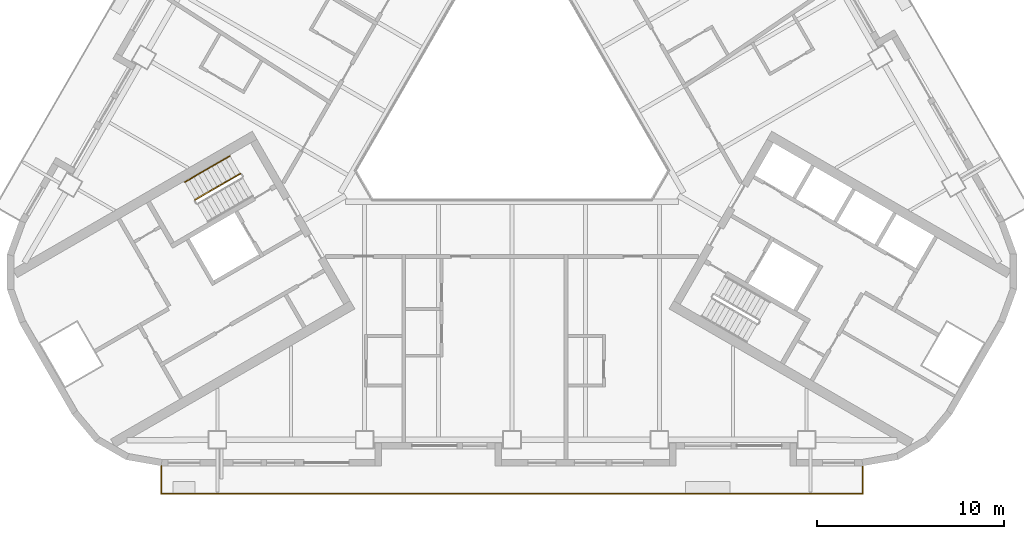
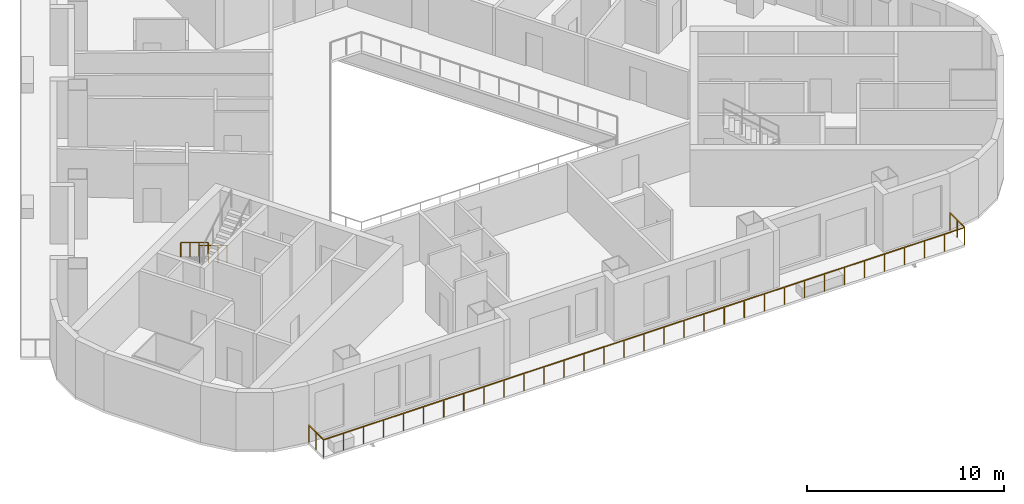
# One storey, part 9 of 13: 3 railings.
"""IFC4 building model written with IfcOpenShell, lengths in metres."""

from ifc_helpers import new_model, si_unit, direction, frame, origin, origin_2d, place, context, subcontext, project, spatial, rectangle, circle, extrude, material, type_object, element, save


model = new_model("IFC4")

# Units and contexts
model_context = context("Model", 3, precision=1e-05, world=origin(), true_north=direction((0.0, 1.0)))
body_context = subcontext(model_context, "Body", "Model", "MODEL_VIEW")
ifc_project = project(units=[si_unit("LENGTHUNIT", "METRE"), si_unit("AREAUNIT", "SQUARE_METRE"), si_unit("VOLUMEUNIT", "CUBIC_METRE"), si_unit("PLANEANGLEUNIT", "RADIAN"), si_unit("MASSUNIT", "GRAM", prefix="KILO")], contexts=[model_context])

# Site, building, storey
site_placement = place(None, origin())
site = spatial("IfcSite", under=ifc_project, at=site_placement, CompositionType="ELEMENT")
building_placement = place(site_placement, origin())
building = spatial("IfcBuilding", under=site, at=building_placement, Name="Apuvela Tower Hotel", CompositionType="ELEMENT")
storey_placement = place(building_placement, frame((0.0, 0.0, 57.60009765625)))
storey = spatial("IfcBuildingStorey", under=building, at=storey_placement, Name="L11", CompositionType="ELEMENT", Elevation=57.60009765625)

# Railings
ifc_material_1 = material(Name="Steel S275 balustrade", Category="steel")
railing_type_1 = type_object("IfcRailingType", Name="COR-GUARD-1100", PredefinedType="GUARDRAIL", material=ifc_material_1)
railing_1_placement = place(storey_placement, frame((-14.569091796875, -3.9658203125, 0.16796875)))
element("IfcRailing", 1, at=railing_1_placement, inside=storey, type_object=railing_type_1, Name="L11 ST2 stair guard 1", PredefinedType="GUARDRAIL", context=body_context, shape_type="SweptSolid", body=[
    extrude(rectangle(XDim=0.048095703125, YDim=0.048095703125, at=origin_2d()), frame((0.0, 0.0, 1.076171875), z_axis=(-0.742390482028, -0.42860119049, 0.514934356695), x_axis=(0.49998411664, -0.866034573852, 0.0)), (0.0, 0.0, 1.0), 3.26611328125),
    extrude(rectangle(XDim=0.0419921875, YDim=0.0419921875, at=origin_2d()), origin(), (0.0, 0.0, 1.0), 1.052001953125),
    extrude(rectangle(XDim=0.0419921875, YDim=0.0419921875, at=origin_2d()), frame((-0.808349609375, -0.466552734375, 0.560546875)), (0.0, 0.0, 1.0), 1.052001953125),
    extrude(rectangle(XDim=0.0419921875, YDim=0.0419921875, at=origin_2d()), frame((-1.616455078125, -0.933349609375, 1.121337890625)), (0.0, 0.0, 1.0), 1.052001953125),
    extrude(rectangle(XDim=0.0419921875, YDim=0.0419921875, at=origin_2d()), frame((-2.4248046875, -1.39990234375, 1.681884765625)), (0.0, 0.0, 1.0), 1.052001953125),
])
ifc_material_2 = material(Name="Stainless steel 316 handrail", Category="steel")
railing_type_2 = type_object("IfcRailingType", Name="COR-HANDRAIL-900", PredefinedType="HANDRAIL", material=ifc_material_2)
railing_2_placement = place(storey_placement, frame((-15.118896484375, -3.01318359375, 0.16796875)))
element("IfcRailing", 2, at=railing_2_placement, inside=storey, type_object=railing_type_2, Name="L11 ST2 stair handrail 1", PredefinedType="HANDRAIL", context=body_context, shape_type="SweptSolid", body=[
    extrude(circle(Radius=0.02392578125, at=origin_2d()), frame((0.0, 0.0, 0.8759765625), z_axis=(-0.742424030051, -0.428577407461, 0.514905783049), x_axis=(0.49994636267, -0.866056369097, 0.0)), (0.0, 0.0, 1.0), 3.266357421875),
    extrude(rectangle(XDim=0.0419921875, YDim=0.0419921875, at=origin_2d()), origin(), (0.0, 0.0, 1.0), 0.851806640625),
    extrude(rectangle(XDim=0.0419921875, YDim=0.0419921875, at=origin_2d()), frame((-0.808349609375, -0.466552734375, 0.560546875)), (0.0, 0.0, 1.0), 0.851806640625),
    extrude(rectangle(XDim=0.0419921875, YDim=0.0419921875, at=origin_2d()), frame((-1.61669921875, -0.933349609375, 1.121337890625)), (0.0, 0.0, 1.0), 0.851806640625),
    extrude(rectangle(XDim=0.0419921875, YDim=0.0419921875, at=origin_2d()), frame((-2.425048828125, -1.39990234375, 1.681884765625)), (0.0, 0.0, 1.0), 0.851806640625),
])
ifc_material_3 = material(Name="Stainless steel 316 rail with laminated glass infill", Category="steel")
railing_type_3 = type_object("IfcRailingType", Name="ENV-GUARD-1100", PredefinedType="GUARDRAIL", material=ifc_material_3)
railing_3_placement = place(storey_placement, frame((-18.81591796875, -19.6298828125, 0.0)))
element("IfcRailing", 3, at=railing_3_placement, inside=storey, type_object=railing_type_3, Name="Balcony guard S L11", PredefinedType="GUARDRAIL", context=body_context, shape_type="SweptSolid", body=[
    extrude(rectangle(XDim=0.050048828125, YDim=0.050048828125, at=origin_2d()), frame((0.0, 0.0, 1.0751953125), z_axis=(0.0, -1.0, 0.0), x_axis=(1.0, 0.0, 0.0)), (0.0, 0.0, 1.0), 1.5),
    extrude(rectangle(XDim=0.050048828125, YDim=0.050048828125, at=origin_2d()), frame((0.0, -1.5, 1.0751953125), z_axis=(1.0, 0.0, 0.0), x_axis=(0.0, 1.0, 0.0)), (0.0, 0.0, 1.0), 37.6318359375),
    extrude(rectangle(XDim=0.050048828125, YDim=0.050048828125, at=origin_2d()), frame((37.6318359375, -1.5, 1.0751953125), z_axis=(0.0, 1.0, 0.0), x_axis=(-1.0, 0.0, 0.0)), (0.0, 0.0, 1.0), 1.5),
    extrude(rectangle(XDim=0.0400390625, YDim=0.0400390625, at=origin_2d()), origin(), (0.0, 0.0, 1.0), 1.050048828125),
    extrude(rectangle(XDim=0.0400390625, YDim=0.0400390625, at=origin_2d()), frame((0.0, -0.75, 0.0)), (0.0, 0.0, 1.0), 1.050048828125),
    extrude(rectangle(XDim=0.0400390625, YDim=0.0400390625, at=origin_2d()), frame((0.0, -1.5, 0.0)), (0.0, 0.0, 1.0), 1.050048828125),
    extrude(rectangle(XDim=0.0400390625, YDim=0.0400390625, at=origin_2d()), frame((1.176025390625, -1.5, 0.0)), (0.0, 0.0, 1.0), 1.050048828125),
    extrude(rectangle(XDim=0.0400390625, YDim=0.0400390625, at=origin_2d()), frame((2.35205078125, -1.5, 0.0)), (0.0, 0.0, 1.0), 1.050048828125),
    extrude(rectangle(XDim=0.0400390625, YDim=0.0400390625, at=origin_2d()), frame((3.528076171875, -1.5, 0.0)), (0.0, 0.0, 1.0), 1.050048828125),
    extrude(rectangle(XDim=0.0400390625, YDim=0.0400390625, at=origin_2d()), frame((4.7041015625, -1.5, 0.0)), (0.0, 0.0, 1.0), 1.050048828125),
    extrude(rectangle(XDim=0.0400390625, YDim=0.0400390625, at=origin_2d()), frame((5.8798828125, -1.5, 0.0)), (0.0, 0.0, 1.0), 1.050048828125),
    extrude(rectangle(XDim=0.0400390625, YDim=0.0400390625, at=origin_2d()), frame((7.055908203125, -1.5, 0.0)), (0.0, 0.0, 1.0), 1.050048828125),
    extrude(rectangle(XDim=0.0400390625, YDim=0.0400390625, at=origin_2d()), frame((8.23193359375, -1.5, 0.0)), (0.0, 0.0, 1.0), 1.050048828125),
    extrude(rectangle(XDim=0.0400390625, YDim=0.0400390625, at=origin_2d()), frame((9.407958984375, -1.5, 0.0)), (0.0, 0.0, 1.0), 1.050048828125),
    extrude(rectangle(XDim=0.0400390625, YDim=0.0400390625, at=origin_2d()), frame((10.583984375, -1.5, 0.0)), (0.0, 0.0, 1.0), 1.050048828125),
    extrude(rectangle(XDim=0.0400390625, YDim=0.0400390625, at=origin_2d()), frame((11.760009765625, -1.5, 0.0)), (0.0, 0.0, 1.0), 1.050048828125),
    extrude(rectangle(XDim=0.0400390625, YDim=0.0400390625, at=origin_2d()), frame((12.93603515625, -1.5, 0.0)), (0.0, 0.0, 1.0), 1.050048828125),
    extrude(rectangle(XDim=0.0400390625, YDim=0.0400390625, at=origin_2d()), frame((14.11181640625, -1.5, 0.0)), (0.0, 0.0, 1.0), 1.050048828125),
    extrude(rectangle(XDim=0.0400390625, YDim=0.0400390625, at=origin_2d()), frame((15.287841796875, -1.5, 0.0)), (0.0, 0.0, 1.0), 1.050048828125),
    extrude(rectangle(XDim=0.0400390625, YDim=0.0400390625, at=origin_2d()), frame((16.4638671875, -1.5, 0.0)), (0.0, 0.0, 1.0), 1.050048828125),
    extrude(rectangle(XDim=0.0400390625, YDim=0.0400390625, at=origin_2d()), frame((17.639892578125, -1.5, 0.0)), (0.0, 0.0, 1.0), 1.050048828125),
    extrude(rectangle(XDim=0.0400390625, YDim=0.0400390625, at=origin_2d()), frame((18.81591796875, -1.5, 0.0)), (0.0, 0.0, 1.0), 1.050048828125),
    extrude(rectangle(XDim=0.0400390625, YDim=0.0400390625, at=origin_2d()), frame((19.991943359375, -1.5, 0.0)), (0.0, 0.0, 1.0), 1.050048828125),
    extrude(rectangle(XDim=0.0400390625, YDim=0.0400390625, at=origin_2d()), frame((21.16796875, -1.5, 0.0)), (0.0, 0.0, 1.0), 1.050048828125),
    extrude(rectangle(XDim=0.0400390625, YDim=0.0400390625, at=origin_2d()), frame((22.343994140625, -1.5, 0.0)), (0.0, 0.0, 1.0), 1.050048828125),
    extrude(rectangle(XDim=0.0400390625, YDim=0.0400390625, at=origin_2d()), frame((23.52001953125, -1.5, 0.0)), (0.0, 0.0, 1.0), 1.050048828125),
    extrude(rectangle(XDim=0.0400390625, YDim=0.0400390625, at=origin_2d()), frame((24.69580078125, -1.5, 0.0)), (0.0, 0.0, 1.0), 1.050048828125),
    extrude(rectangle(XDim=0.0400390625, YDim=0.0400390625, at=origin_2d()), frame((25.871826171875, -1.5, 0.0)), (0.0, 0.0, 1.0), 1.050048828125),
    extrude(rectangle(XDim=0.0400390625, YDim=0.0400390625, at=origin_2d()), frame((27.0478515625, -1.5, 0.0)), (0.0, 0.0, 1.0), 1.050048828125),
    extrude(rectangle(XDim=0.0400390625, YDim=0.0400390625, at=origin_2d()), frame((28.223876953125, -1.5, 0.0)), (0.0, 0.0, 1.0), 1.050048828125),
    extrude(rectangle(XDim=0.0400390625, YDim=0.0400390625, at=origin_2d()), frame((29.39990234375, -1.5, 0.0)), (0.0, 0.0, 1.0), 1.050048828125),
    extrude(rectangle(XDim=0.0400390625, YDim=0.0400390625, at=origin_2d()), frame((30.575927734375, -1.5, 0.0)), (0.0, 0.0, 1.0), 1.050048828125),
    extrude(rectangle(XDim=0.0400390625, YDim=0.0400390625, at=origin_2d()), frame((31.751953125, -1.5, 0.0)), (0.0, 0.0, 1.0), 1.050048828125),
    extrude(rectangle(XDim=0.0400390625, YDim=0.0400390625, at=origin_2d()), frame((32.927734375, -1.5, 0.0)), (0.0, 0.0, 1.0), 1.050048828125),
    extrude(rectangle(XDim=0.0400390625, YDim=0.0400390625, at=origin_2d()), frame((34.103759765625, -1.5, 0.0)), (0.0, 0.0, 1.0), 1.050048828125),
    extrude(rectangle(XDim=0.0400390625, YDim=0.0400390625, at=origin_2d()), frame((35.27978515625, -1.5, 0.0)), (0.0, 0.0, 1.0), 1.050048828125),
    extrude(rectangle(XDim=0.0400390625, YDim=0.0400390625, at=origin_2d()), frame((36.455810546875, -1.5, 0.0)), (0.0, 0.0, 1.0), 1.050048828125),
    extrude(rectangle(XDim=0.0400390625, YDim=0.0400390625, at=origin_2d()), frame((37.6318359375, -1.5, 0.0)), (0.0, 0.0, 1.0), 1.050048828125),
    extrude(rectangle(XDim=0.0400390625, YDim=0.0400390625, at=origin_2d()), frame((37.6318359375, -0.75, 0.0)), (0.0, 0.0, 1.0), 1.050048828125),
    extrude(rectangle(XDim=0.0400390625, YDim=0.0400390625, at=origin_2d()), frame((37.6318359375, 0.0, 0.0)), (0.0, 0.0, 1.0), 1.050048828125),
])

save(model, "model.ifc")
